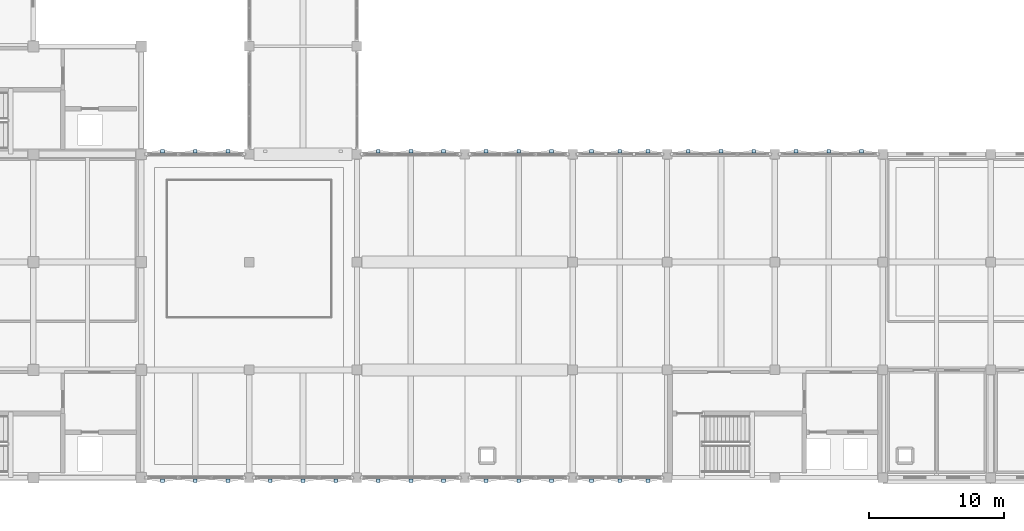
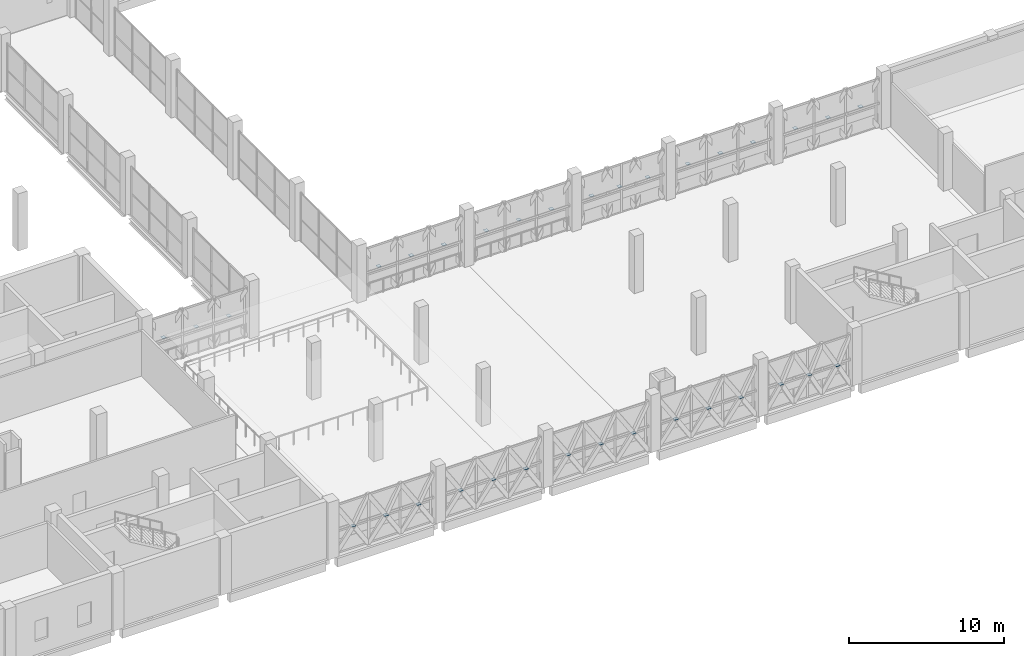
# One storey, part 24 of 45: 33 plates.
"""IFC4 building model written with IfcOpenShell, lengths in metres."""

from ifc_helpers import new_model, si_unit, direction, frame, origin, origin_2d, place, context, subcontext, project, spatial, rectangle, extrude, material, layer, layer_set, type_object, element, save


model = new_model("IFC4")

# Units and contexts
model_context = context("Model", 3, precision=1e-05, world=origin(), true_north=direction((0.0, 1.0)))
body_context = subcontext(model_context, "Body", "Model", "MODEL_VIEW")
ifc_project = project(units=[si_unit("LENGTHUNIT", "METRE"), si_unit("AREAUNIT", "SQUARE_METRE"), si_unit("VOLUMEUNIT", "CUBIC_METRE"), si_unit("PLANEANGLEUNIT", "RADIAN"), si_unit("MASSUNIT", "GRAM", prefix="KILO")], contexts=[model_context])

# Site, building, storey
site_placement = place(None, origin())
site = spatial("IfcSite", under=ifc_project, at=site_placement, CompositionType="ELEMENT")
building_placement = place(site_placement, origin())
building = spatial("IfcBuilding", under=site, at=building_placement, Name="Qorikala Patio Media Centre", CompositionType="ELEMENT")
storey_placement = place(building_placement, frame((0.0, 0.0, 9.89990234375)))
storey = spatial("IfcBuildingStorey", under=building, at=storey_placement, Name="L02", CompositionType="ELEMENT", Elevation=9.89990234375)

# Plates
ifc_material = material(Name="Golden Bronze Coated Steel S355", Category="steel")
ifc_layer = layer(ifc_material, 0.01611328125)
ifc_layer_set = layer_set([ifc_layer], Name="Golden Bronze Coated Steel S355")
plate_type = type_object("IfcPlateType", Name="PL-ND-06", PredefinedType="SHEET", material=ifc_layer_set)
for number, where, z_axis, x_axis, name in (
    (1, (80.59326171875, 2.78076171875, 1.9169921875), (0.0, 0.0, 1.0), (-1.0, 0.0, 0.0), "L02 Diamond Apex Node Plate 034"),
    (2, (78.5, 2.78076171875, 1.9169921875), (0.0, 0.0, 1.0), (-1.0, 0.0, 0.0), "L02 Diamond Apex Node Plate 035"),
    (3, (76.40673828125, 2.78076171875, 1.9169921875), (0.0, 0.0, 1.0), (-1.0, 0.0, 0.0), "L02 Diamond Apex Node Plate 036"),
    (4, (73.4267578125, 2.78076171875, 1.9169921875), (0.0, 0.0, 1.0), (-1.0, 0.0, 0.0), "L02 Diamond Apex Node Plate 037"),
    (5, (71.0, 2.78076171875, 1.9169921875), (0.0, 0.0, 1.0), (-1.0, 0.0, 0.0), "L02 Diamond Apex Node Plate 038"),
    (6, (68.5732421875, 2.78076171875, 1.9169921875), (0.0, 0.0, 1.0), (-1.0, 0.0, 0.0), "L02 Diamond Apex Node Plate 039"),
    (7, (65.4267578125, 2.78076171875, 1.9169921875), (0.0, 0.0, 1.0), (-1.0, 0.0, 0.0), "L02 Diamond Apex Node Plate 040"),
    (8, (63.0, 2.78076171875, 1.9169921875), (0.0, 0.0, 1.0), (-1.0, 0.0, 0.0), "L02 Diamond Apex Node Plate 041"),
    (9, (60.5732421875, 2.78076171875, 1.9169921875), (0.0, 0.0, 1.0), (-1.0, 0.0, 0.0), "L02 Diamond Apex Node Plate 042"),
    (10, (57.4267578125, 2.78076171875, 1.9169921875), (0.0, 0.0, 1.0), (-1.0, 0.0, 0.0), "L02 Diamond Apex Node Plate 043"),
    (11, (55.0, 2.78076171875, 1.9169921875), (0.0, 0.0, 1.0), (-1.0, 0.0, 0.0), "L02 Diamond Apex Node Plate 044"),
    (12, (52.5732421875, 2.78076171875, 1.9169921875), (0.0, 0.0, 1.0), (-1.0, 0.0, 0.0), "L02 Diamond Apex Node Plate 045"),
    (13, (49.4267578125, 2.78076171875, 1.9169921875), (0.0, 0.0, 1.0), (-1.0, 0.0, 0.0), "L02 Diamond Apex Node Plate 046"),
    (14, (47.0, 2.78076171875, 1.9169921875), (0.0, 0.0, 1.0), (-1.0, 0.0, 0.0), "L02 Diamond Apex Node Plate 047"),
    (15, (44.5732421875, 2.78076171875, 1.9169921875), (0.0, 0.0, 1.0), (-1.0, 0.0, 0.0), "L02 Diamond Apex Node Plate 048"),
    (16, (44.5732421875, 27.21923828125, 1.9169921875), (0.0, 0.0, 1.0), (1.0, 0.0, 0.0), "L02 Diamond Apex Node Plate 049"),
    (17, (47.0, 27.21923828125, 1.9169921875), (0.0, 0.0, 1.0), (1.0, 0.0, 0.0), "L02 Diamond Apex Node Plate 050"),
    (18, (49.4267578125, 27.21923828125, 1.9169921875), (0.0, 0.0, 1.0), (1.0, 0.0, 0.0), "L02 Diamond Apex Node Plate 051"),
    (19, (60.5732421875, 27.21923828125, 1.9169921875), (0.0, 0.0, 1.0), (1.0, 0.0, 0.0), "L02 Diamond Apex Node Plate 052"),
    (20, (63.0, 27.21923828125, 1.9169921875), (0.0, 0.0, 1.0), (1.0, 0.0, 0.0), "L02 Diamond Apex Node Plate 053"),
    (21, (65.4267578125, 27.21923828125, 1.9169921875), (0.0, 0.0, 1.0), (1.0, 0.0, 0.0), "L02 Diamond Apex Node Plate 054"),
    (22, (68.5732421875, 27.21923828125, 1.9169921875), (0.0, 0.0, 1.0), (1.0, 0.0, 0.0), "L02 Diamond Apex Node Plate 055"),
    (23, (71.0, 27.21923828125, 1.9169921875), (0.0, 0.0, 1.0), (1.0, 0.0, 0.0), "L02 Diamond Apex Node Plate 056"),
    (24, (73.4267578125, 27.21923828125, 1.9169921875), (0.0, 0.0, 1.0), (1.0, 0.0, 0.0), "L02 Diamond Apex Node Plate 057"),
    (25, (76.40673828125, 27.21923828125, 1.9169921875), (0.0, 0.0, 1.0), (1.0, 0.0, 0.0), "L02 Diamond Apex Node Plate 058"),
    (26, (78.5, 27.21923828125, 1.9169921875), (0.0, 0.0, 1.0), (1.0, 0.0, 0.0), "L02 Diamond Apex Node Plate 059"),
    (27, (80.59326171875, 27.21923828125, 1.9169921875), (0.0, 0.0, 1.0), (1.0, 0.0, 0.0), "L02 Diamond Apex Node Plate 060"),
    (28, (83.5732421875, 27.21923828125, 1.9169921875), (0.0, 0.0, 1.0), (1.0, 0.0, 0.0), "L02 Diamond Apex Node Plate 061"),
    (29, (86.0, 27.21923828125, 1.9169921875), (0.0, 0.0, 1.0), (1.0, 0.0, 0.0), "L02 Diamond Apex Node Plate 062"),
    (30, (88.4267578125, 27.21923828125, 1.9169921875), (0.0, 0.0, 1.0), (1.0, 0.0, 0.0), "L02 Diamond Apex Node Plate 063"),
    (31, (91.5732421875, 27.21923828125, 1.9169921875), (0.0, 0.0, 1.0), (1.0, 0.0, 0.0), "L02 Diamond Apex Node Plate 064"),
    (32, (94.0, 27.21923828125, 1.9169921875), (0.0, 0.0, 1.0), (1.0, 0.0, 0.0), "L02 Diamond Apex Node Plate 065"),
    (33, (96.4267578125, 27.21923828125, 1.9169921875), (0.0, 0.0, 1.0), (1.0, 0.0, 0.0), "L02 Diamond Apex Node Plate 066"),
):
    element("IfcPlate", number, at=place(storey_placement, frame(where, z_axis=z_axis, x_axis=x_axis)), inside=storey, type_object=plate_type, Name=name, PredefinedType="SHEET", context=body_context, shape_type="SweptSolid", body=[
        extrude(rectangle(XDim=0.280029296875, YDim=0.280029296875, at=origin_2d()), origin(), (0.0, 0.0, 1.0), 0.01611328125),
    ])

save(model, "model.ifc")
